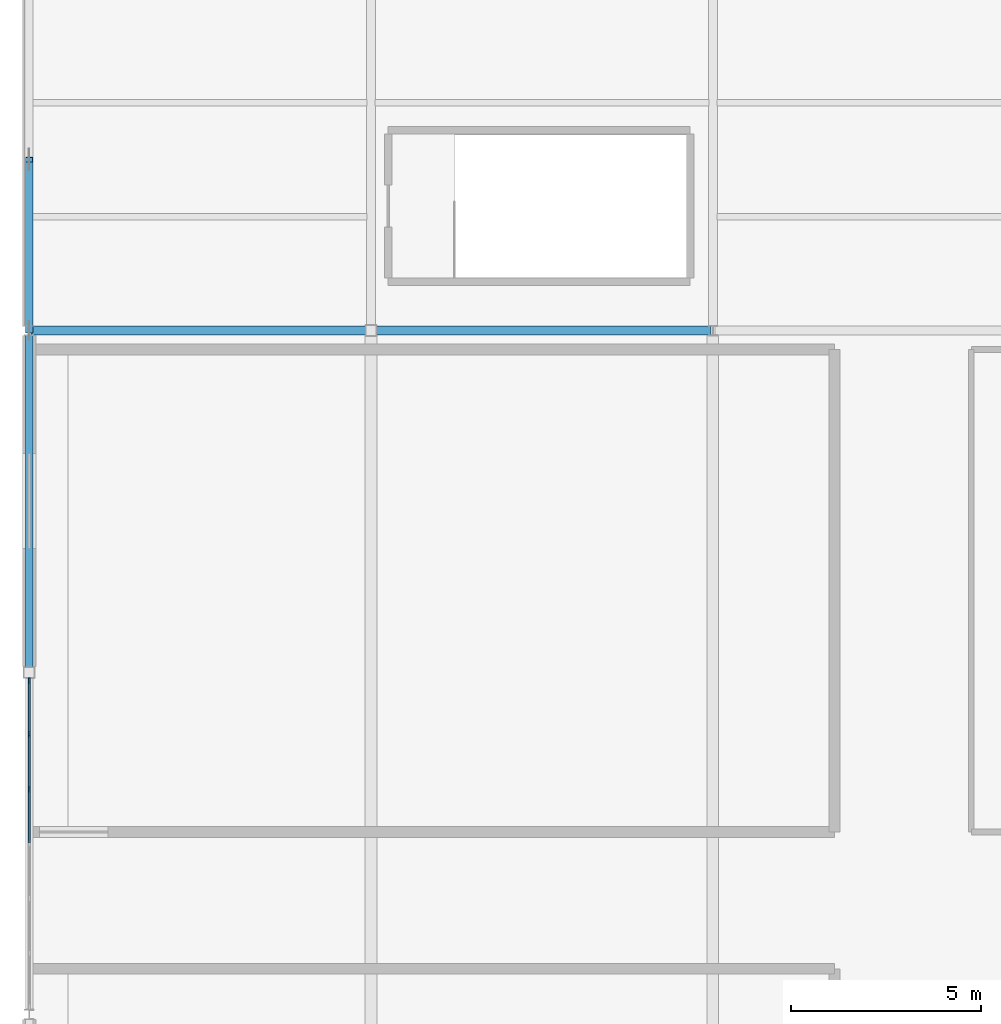
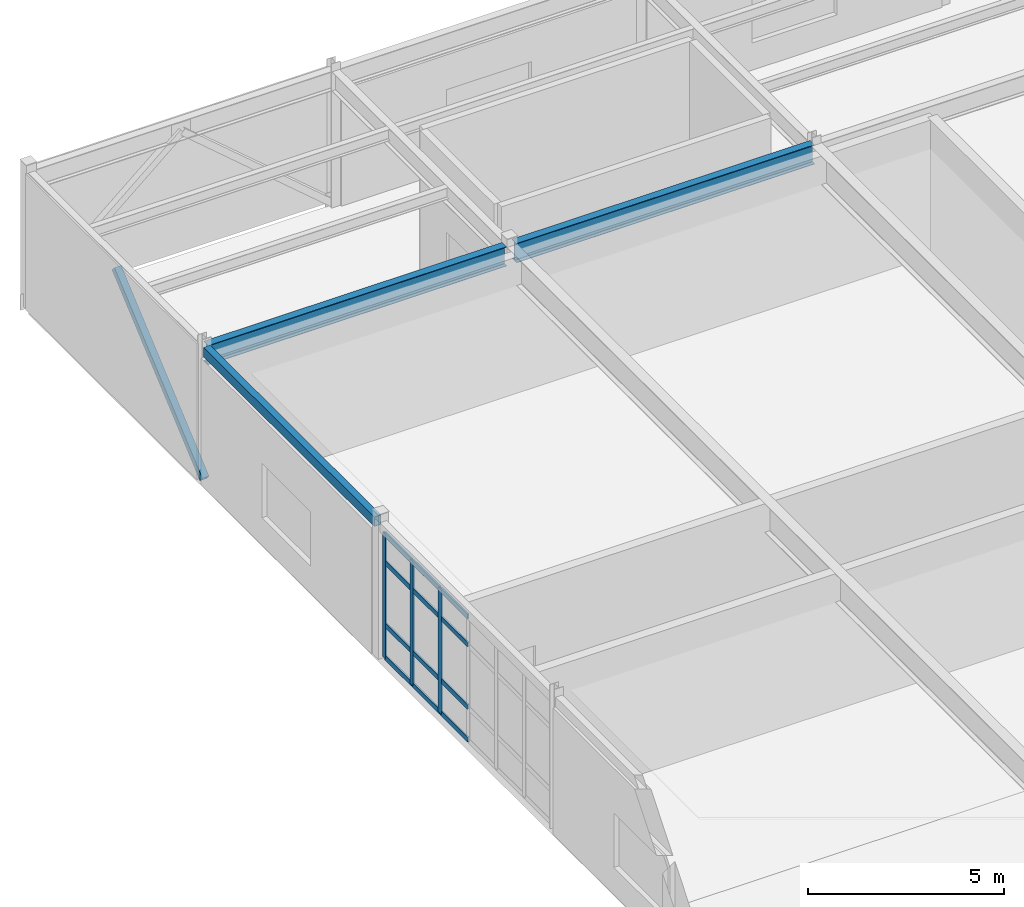
# One storey, part 31 of 81: 16 members, 3 beams, 1 element without a shape of its own.
"""IFC4 building model written with IfcOpenShell, lengths in metres."""

from ifc_helpers import new_model, si_unit, direction, frame, origin, origin_2d, place, context, subcontext, project, spatial, rectangle, hollow_rectangle, i_section, extrude, material, material_profile, profile_set, type_object, element, aggregate, save


model = new_model("IFC4")

# Units and contexts
model_context = context("Model", 3, precision=1e-05, world=origin(), true_north=direction((0.0, 1.0)))
body_context = subcontext(model_context, "Body", "Model", "MODEL_VIEW")
ifc_project = project(units=[si_unit("LENGTHUNIT", "METRE"), si_unit("AREAUNIT", "SQUARE_METRE"), si_unit("VOLUMEUNIT", "CUBIC_METRE"), si_unit("PLANEANGLEUNIT", "RADIAN"), si_unit("MASSUNIT", "GRAM", prefix="KILO")], contexts=[model_context])

# Site, building, storey
site_placement = place(None, origin())
site = spatial("IfcSite", under=ifc_project, at=site_placement, CompositionType="ELEMENT")
building_placement = place(site_placement, origin())
building = spatial("IfcBuilding", under=site, at=building_placement, Name="Glasvene Arena", CompositionType="ELEMENT")
storey_placement = place(building_placement, frame((0.0, 0.0, 15.0)))
storey = spatial("IfcBuildingStorey", under=building, at=storey_placement, Name="L03", CompositionType="ELEMENT", Elevation=15.0)

# Beams
ifc_material_1 = material(Name="Steel S355J2", Category="steel")
ifc_material_profile_1 = material_profile(ifc_material_1, i_section(OverallWidth=0.228271484375, OverallDepth=0.607666015625, WebThickness=0.010986328125, FlangeThickness=0.017333984375, FilletRadius=0.0126953125, at=origin_2d()), Name="UKB 610x229x113")
ifc_profile_set_1 = profile_set([ifc_material_profile_1], Name="Steel S355J2")
beam_type_1 = type_object("IfcBeamType", Name="BM-GIRD-610", PredefinedType="BEAM", material=ifc_profile_set_1)
for number, where, z_axis, x_axis, name in (
    (1, (0.050048828125, 109.0, 3.9462890625), (1.0, 0.0, 0.0), (0.0, 1.0, 0.0), "Primary X girder L03-0952"),
    (2, (9.14501953125, 109.0, 3.9462890625), (1.0, 0.0, 0.0), (0.0, 1.0, 0.0), "Primary X girder L03-0953"),
):
    element("IfcBeam", number, at=place(storey_placement, frame(where, z_axis=z_axis, x_axis=x_axis)), inside=storey, type_object=beam_type_1, Name=name, PredefinedType="BEAM", context=body_context, shape_type="SweptSolid", body=[
        extrude(i_section(OverallWidth=0.228271484375, OverallDepth=0.607666015625, WebThickness=0.010986328125, FlangeThickness=0.017333984375, FilletRadius=0.0126953125, at=origin_2d()), origin(), (0.0, 0.0, 1.0), 8.804931640625),
    ])
ifc_material_profile_2 = material_profile(ifc_material_1, hollow_rectangle(XDim=0.199951171875, YDim=0.300048828125, WallThickness=0.012451171875, at=origin_2d()), Name="RHS 300x200x12.5")
ifc_profile_set_2 = profile_set([ifc_material_profile_2], Name="Steel S355J2")
beam_type_2 = type_object("IfcBeamType", Name="BM-SPAND-300", PredefinedType="SPANDREL", material=ifc_profile_set_2)
beam_placement = place(storey_placement, frame((0.0, 100.14501953125, 4.10009765625), z_axis=(0.0, 1.0, 0.0), x_axis=(-1.0, 0.0, 0.0)))
element("IfcBeam", 3, at=beam_placement, inside=storey, type_object=beam_type_2, Name="Primary Y girder L03-0967", PredefinedType="SPANDREL", context=body_context, shape_type="SweptSolid", body=[
    extrude(hollow_rectangle(XDim=0.199951171875, YDim=0.300048828125, WallThickness=0.012451171875, at=origin_2d()), origin(), (0.0, 0.0, 1.0), 8.729736328125),
])

# Curtain wall, members
ifc_material_2 = material(Name="Low-emissivity laminated double glazing", Category="glass")
curtain_wall_type = type_object("IfcCurtainWallType", Name="CW-FAC-L03-864x388", PredefinedType="USERDEFINED", material=ifc_material_2)
curtain_wall_placement = place(storey_placement, frame((0.0, 91.172119140625, 0.0)))
curtain_wall = element("IfcCurtainWall", 4, at=curtain_wall_placement, inside=storey, type_object=curtain_wall_type, Name="Unitised curtain wall CW-F-L03-150-0-955-7", ObjectType="CURTAIN WALL", PredefinedType="USERDEFINED")
ifc_material_3 = material(Name="Anodised architectural aluminium", Category="aluminium")
ifc_material_profile_3 = material_profile(ifc_material_3, rectangle(XDim=0.050048828125, YDim=0.159912109375, at=origin_2d()), Name="ALU MULLION 50x160")
ifc_profile_set_3 = profile_set([ifc_material_profile_3], Name="Anodised architectural aluminium")
member_type_1 = type_object("IfcMemberType", Name="CW-MUL-150", PredefinedType="MULLION", material=ifc_profile_set_3)
member_1_placement = place(storey_placement, frame((0.0, 96.929443359375, 0.06005859375), z_axis=(0.0, 0.0, 1.0), x_axis=(-1.0, 0.0, 0.0)))
member_1 = element("IfcMember", 5, at=member_1_placement, type_object=member_type_1, Name="CW-033 mullion 5", PredefinedType="MULLION", context=body_context, shape_type="SweptSolid", body=[
    extrude(rectangle(XDim=0.050048828125, YDim=0.159912109375, at=origin_2d()), origin(), (0.0, 0.0, 1.0), 3.885009765625),
])
member_2_placement = place(storey_placement, frame((0.0, 98.36865234375, 0.06005859375), z_axis=(0.0, 0.0, 1.0), x_axis=(-1.0, 0.0, 0.0)))
member_2 = element("IfcMember", 6, at=member_2_placement, type_object=member_type_1, Name="CW-033 mullion 6", PredefinedType="MULLION", context=body_context, shape_type="SweptSolid", body=[
    extrude(rectangle(XDim=0.050048828125, YDim=0.159912109375, at=origin_2d()), origin(), (0.0, 0.0, 1.0), 3.885009765625),
])
member_3_placement = place(storey_placement, frame((0.0, 99.782958984375, 0.06005859375), z_axis=(0.0, 0.0, 1.0), x_axis=(-1.0, 0.0, 0.0)))
member_3 = element("IfcMember", 7, at=member_3_placement, type_object=member_type_1, Name="CW-033 mullion 7", PredefinedType="MULLION", context=body_context, shape_type="SweptSolid", body=[
    extrude(rectangle(XDim=0.050048828125, YDim=0.159912109375, at=origin_2d()), origin(), (0.0, 0.0, 1.0), 3.885009765625),
])
ifc_material_profile_4 = material_profile(ifc_material_3, rectangle(XDim=0.050048828125, YDim=0.14990234375, at=origin_2d()), Name="ALU TRANSOM 50x150")
ifc_profile_set_4 = profile_set([ifc_material_profile_4], Name="Anodised architectural aluminium")
member_type_2 = type_object("IfcMemberType", Name="CW-TRN-150", PredefinedType="USERDEFINED", material=ifc_profile_set_4)
member_4_placement = place(storey_placement, frame((0.0, 95.51513671875, 0.0849609375), z_axis=(0.0, 1.0, 0.0), x_axis=(-1.0, 0.0, 0.0)))
member_4 = element("IfcMember", 8, at=member_4_placement, type_object=member_type_2, Name="CW-033 transom 4.1", ObjectType="TRANSOM", PredefinedType="USERDEFINED", context=body_context, shape_type="SweptSolid", body=[
    extrude(rectangle(XDim=0.050048828125, YDim=0.14990234375, at=origin_2d()), origin(), (0.0, 0.0, 1.0), 1.38916015625),
])
member_5_placement = place(storey_placement, frame((0.0, 95.51513671875, 1.10009765625), z_axis=(0.0, 1.0, 0.0), x_axis=(-1.0, 0.0, 0.0)))
member_5 = element("IfcMember", 9, at=member_5_placement, type_object=member_type_2, Name="CW-033 transom 4.2", ObjectType="TRANSOM", PredefinedType="USERDEFINED", context=body_context, shape_type="SweptSolid", body=[
    extrude(rectangle(XDim=0.050048828125, YDim=0.14990234375, at=origin_2d()), origin(), (0.0, 0.0, 1.0), 1.38916015625),
])
member_6_placement = place(storey_placement, frame((0.0, 95.51513671875, 3.044921875), z_axis=(0.0, 1.0, 0.0), x_axis=(-1.0, 0.0, 0.0)))
member_6 = element("IfcMember", 10, at=member_6_placement, type_object=member_type_2, Name="CW-033 transom 4.3", ObjectType="TRANSOM", PredefinedType="USERDEFINED", context=body_context, shape_type="SweptSolid", body=[
    extrude(rectangle(XDim=0.050048828125, YDim=0.14990234375, at=origin_2d()), origin(), (0.0, 0.0, 1.0), 1.38916015625),
])
member_7_placement = place(storey_placement, frame((0.0, 95.51513671875, 3.919921875), z_axis=(0.0, 1.0, 0.0), x_axis=(-1.0, 0.0, 0.0)))
member_7 = element("IfcMember", 11, at=member_7_placement, type_object=member_type_2, Name="CW-033 transom 4.4", ObjectType="TRANSOM", PredefinedType="USERDEFINED", context=body_context, shape_type="SweptSolid", body=[
    extrude(rectangle(XDim=0.050048828125, YDim=0.14990234375, at=origin_2d()), origin(), (0.0, 0.0, 1.0), 1.38916015625),
])
member_8_placement = place(storey_placement, frame((0.0, 96.954345703125, 0.0849609375), z_axis=(0.0, 1.0, 0.0), x_axis=(-1.0, 0.0, 0.0)))
member_8 = element("IfcMember", 12, at=member_8_placement, type_object=member_type_2, Name="CW-033 transom 5.1", ObjectType="TRANSOM", PredefinedType="USERDEFINED", context=body_context, shape_type="SweptSolid", body=[
    extrude(rectangle(XDim=0.050048828125, YDim=0.14990234375, at=origin_2d()), origin(), (0.0, 0.0, 1.0), 1.389404296875),
])
member_9_placement = place(storey_placement, frame((0.0, 96.954345703125, 1.10009765625), z_axis=(0.0, 1.0, 0.0), x_axis=(-1.0, 0.0, 0.0)))
member_9 = element("IfcMember", 13, at=member_9_placement, type_object=member_type_2, Name="CW-033 transom 5.2", ObjectType="TRANSOM", PredefinedType="USERDEFINED", context=body_context, shape_type="SweptSolid", body=[
    extrude(rectangle(XDim=0.050048828125, YDim=0.14990234375, at=origin_2d()), origin(), (0.0, 0.0, 1.0), 1.389404296875),
])
member_10_placement = place(storey_placement, frame((0.0, 96.954345703125, 3.044921875), z_axis=(0.0, 1.0, 0.0), x_axis=(-1.0, 0.0, 0.0)))
member_10 = element("IfcMember", 14, at=member_10_placement, type_object=member_type_2, Name="CW-033 transom 5.3", ObjectType="TRANSOM", PredefinedType="USERDEFINED", context=body_context, shape_type="SweptSolid", body=[
    extrude(rectangle(XDim=0.050048828125, YDim=0.14990234375, at=origin_2d()), origin(), (0.0, 0.0, 1.0), 1.389404296875),
])
member_11_placement = place(storey_placement, frame((0.0, 96.954345703125, 3.919921875), z_axis=(0.0, 1.0, 0.0), x_axis=(-1.0, 0.0, 0.0)))
member_11 = element("IfcMember", 15, at=member_11_placement, type_object=member_type_2, Name="CW-033 transom 5.4", ObjectType="TRANSOM", PredefinedType="USERDEFINED", context=body_context, shape_type="SweptSolid", body=[
    extrude(rectangle(XDim=0.050048828125, YDim=0.14990234375, at=origin_2d()), origin(), (0.0, 0.0, 1.0), 1.389404296875),
])
member_12_placement = place(storey_placement, frame((0.0, 98.393798828125, 0.0849609375), z_axis=(0.0, 1.0, 0.0), x_axis=(-1.0, 0.0, 0.0)))
member_12 = element("IfcMember", 16, at=member_12_placement, type_object=member_type_2, Name="CW-033 transom 6.1", ObjectType="TRANSOM", PredefinedType="USERDEFINED", context=body_context, shape_type="SweptSolid", body=[
    extrude(rectangle(XDim=0.050048828125, YDim=0.14990234375, at=origin_2d()), origin(), (0.0, 0.0, 1.0), 1.3642578125),
])
member_13_placement = place(storey_placement, frame((0.0, 98.393798828125, 1.10009765625), z_axis=(0.0, 1.0, 0.0), x_axis=(-1.0, 0.0, 0.0)))
member_13 = element("IfcMember", 17, at=member_13_placement, type_object=member_type_2, Name="CW-033 transom 6.2", ObjectType="TRANSOM", PredefinedType="USERDEFINED", context=body_context, shape_type="SweptSolid", body=[
    extrude(rectangle(XDim=0.050048828125, YDim=0.14990234375, at=origin_2d()), origin(), (0.0, 0.0, 1.0), 1.3642578125),
])
member_14_placement = place(storey_placement, frame((0.0, 98.393798828125, 3.044921875), z_axis=(0.0, 1.0, 0.0), x_axis=(-1.0, 0.0, 0.0)))
member_14 = element("IfcMember", 18, at=member_14_placement, type_object=member_type_2, Name="CW-033 transom 6.3", ObjectType="TRANSOM", PredefinedType="USERDEFINED", context=body_context, shape_type="SweptSolid", body=[
    extrude(rectangle(XDim=0.050048828125, YDim=0.14990234375, at=origin_2d()), origin(), (0.0, 0.0, 1.0), 1.3642578125),
])
member_15_placement = place(storey_placement, frame((0.0, 98.393798828125, 3.919921875), z_axis=(0.0, 1.0, 0.0), x_axis=(-1.0, 0.0, 0.0)))
member_15 = element("IfcMember", 19, at=member_15_placement, type_object=member_type_2, Name="CW-033 transom 6.4", ObjectType="TRANSOM", PredefinedType="USERDEFINED", context=body_context, shape_type="SweptSolid", body=[
    extrude(rectangle(XDim=0.050048828125, YDim=0.14990234375, at=origin_2d()), origin(), (0.0, 0.0, 1.0), 1.3642578125),
])
aggregate(curtain_wall, [member_1, member_2, member_3, member_4, member_5, member_6, member_7, member_8, member_9, member_10, member_11, member_12, member_13, member_14, member_15])

# Member
ifc_material_profile_5 = material_profile(ifc_material_1, hollow_rectangle(XDim=0.199951171875, YDim=0.199951171875, WallThickness=0.010009765625, at=origin_2d()), Name="SHS 200x200x10.0")
ifc_profile_set_5 = profile_set([ifc_material_profile_5], Name="Steel S355J2")
member_type_3 = type_object("IfcMemberType", Name="MB-BRACE-SHS200", PredefinedType="BRACE", material=ifc_profile_set_5)
member_16_placement = place(storey_placement, frame((0.0, 109.0, 0.050048828125), z_axis=(0.0, 0.759864465021, 0.650081529347), x_axis=(-1.0, 0.0, 0.0)))
element("IfcMember", 20, at=member_16_placement, inside=storey, type_object=member_type_3, Name="Perimeter lateral chevron brace L03-023-A", PredefinedType="BRACE", context=body_context, shape_type="SweptSolid", body=[
    extrude(hollow_rectangle(XDim=0.199951171875, YDim=0.199951171875, WallThickness=0.010009765625, at=origin_2d()), origin(), (0.0, 0.0, 1.0), 5.922119140625),
])

save(model, "model.ifc")
